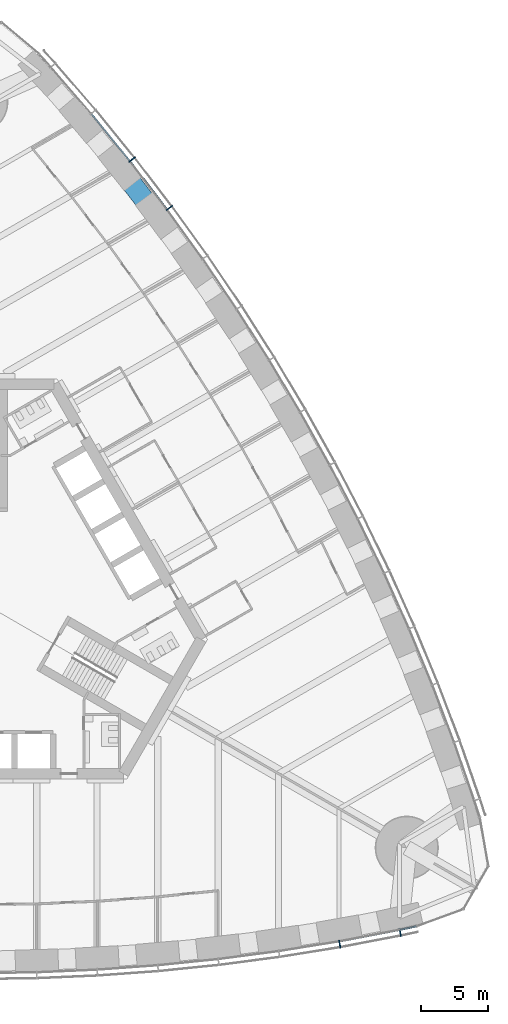
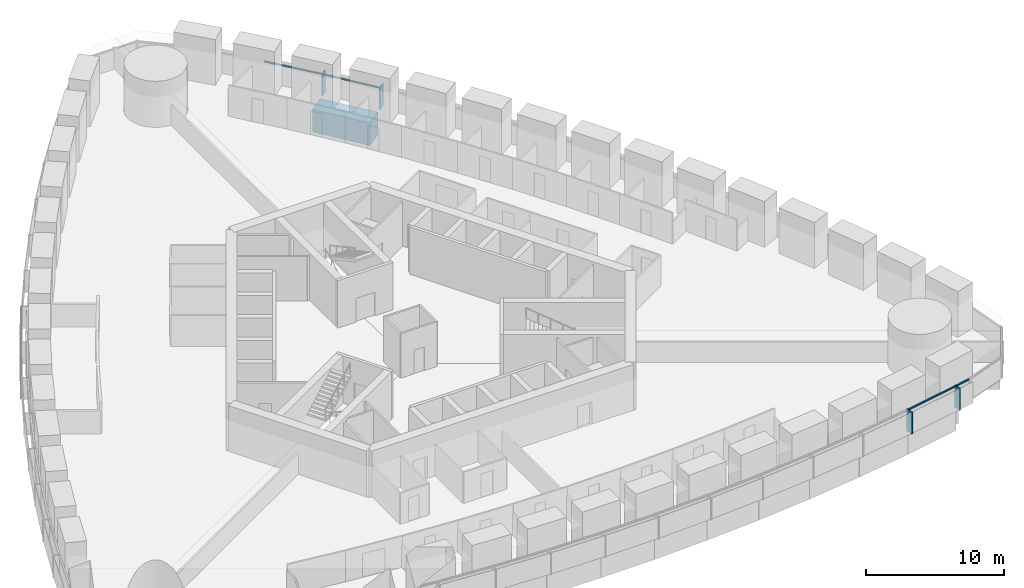
# One storey, part 5 of 18: 8 members, 1 beam, 2 elements without a shape of their own.
"""IFC4 building model written with IfcOpenShell, lengths in metres."""

import ifcopenshell
import ifcopenshell.guid

model = None  # the IFC model being written
_history = None  # IfcOwnerHistory: only IFC2X3 demands one
_inside = {}  # id of a spatial element -> (the spatial element, [elements in it])
_under = {}  # id of a project, library or spatial element -> (it, [spatial elements below it])
_declared = {}  # id of a project -> (the project, [libraries it declares])
_typed = {}  # id of a type object -> (the type object, [elements of that type])
_made_of = {}  # id of a material, layer set ... -> (it, [elements and type objects made of it])


def new_model(schema):
    """Start an empty IFC model of exactly this schema.

    Asked for "IFC4X3", IfcOpenShell would pick the latest addendum, in which some entities
    have other attributes; the version numbers below select the first issue.
    IFC2X3 requires an IfcOwnerHistory on every rooted entity: one is made here for all.
    """
    global model, _history
    if schema == "IFC4X3":
        model = ifcopenshell.file(schema_version=(4, 3, 0, 0))
    else:
        model = ifcopenshell.file(schema=schema)
    _inside.clear()
    _under.clear()
    _declared.clear()
    _typed.clear()
    _made_of.clear()
    _history = None
    if model.schema == "IFC2X3":
        org = make("IfcOrganization", Name="unknown")
        user = make(
            "IfcPersonAndOrganization",
            ThePerson=make("IfcPerson", FamilyName="unknown"),
            TheOrganization=org,
        )
        app = make(
            "IfcApplication",
            ApplicationDeveloper=org,
            Version="unknown",
            ApplicationFullName="unknown",
            ApplicationIdentifier="unknown",
        )
        _history = make(
            "IfcOwnerHistory",
            OwningUser=user,
            OwningApplication=app,
            ChangeAction="ADDED",
            CreationDate=0,
        )
    return model


def make(cls, **values):
    """One entity of the class cls with the attributes given. An attribute that is None is left unset."""
    return model.create_entity(
        cls, **{name: value for name, value in values.items() if value is not None}
    )


def rooted(cls, **values):
    """An entity with a GlobalId (a new one), such as an element, a storey or a relation."""
    return make(cls, GlobalId=ifcopenshell.guid.new(), OwnerHistory=_history, **values)


def si_unit(unit_type, name, prefix=None):
    """IfcSIUnit, for example si_unit("LENGTHUNIT", "METRE", prefix="MILLI")."""
    return make("IfcSIUnit", UnitType=unit_type, Prefix=prefix, Name=name)


def assignment(units):
    """IfcUnitAssignment: the units of a project."""
    return None if units is None else make("IfcUnitAssignment", Units=units)


def point(xyz):
    """IfcCartesianPoint."""
    return None if xyz is None else make("IfcCartesianPoint", Coordinates=xyz)


def direction(xyz):
    """IfcDirection."""
    return None if xyz is None else make("IfcDirection", DirectionRatios=xyz)


def frame(location, z_axis=None, x_axis=None):
    """IfcAxis2Placement3D, a coordinate frame: its origin and axes. An axis left out is left unset."""
    return make(
        "IfcAxis2Placement3D",
        Location=point(location),
        Axis=direction(z_axis),
        RefDirection=direction(x_axis),
    )


def frame_2d(location, x_axis=None):
    """IfcAxis2Placement2D, a coordinate frame in the plane: its origin and x axis."""
    return make(
        "IfcAxis2Placement2D", Location=point(location), RefDirection=direction(x_axis)
    )


def origin():
    """The frame at (0, 0, 0) with its axes left unset."""
    return frame((0.0, 0.0, 0.0))


def origin_2d():
    """The frame at (0, 0) in the plane with its x axis left unset."""
    return frame_2d((0.0, 0.0))


def place(relative_to, where):
    """IfcLocalPlacement: puts the frame where relative to a parent placement (None: the world)."""
    return make(
        "IfcLocalPlacement", PlacementRelTo=relative_to, RelativePlacement=where
    )


def context(
    kind, dimensions, precision=None, world=None, true_north=None, identifier=None
):
    """IfcGeometricRepresentationContext, for example the 3D "Model" context."""
    return make(
        "IfcGeometricRepresentationContext",
        ContextIdentifier=identifier,
        ContextType=kind,
        CoordinateSpaceDimension=dimensions,
        Precision=precision,
        WorldCoordinateSystem=world,
        TrueNorth=true_north,
    )


def subcontext(parent, identifier, kind, view, scale=None):
    """IfcGeometricRepresentationSubContext, for example "Body" below "Model"."""
    return make(
        "IfcGeometricRepresentationSubContext",
        ContextIdentifier=identifier,
        ContextType=kind,
        ParentContext=parent,
        TargetScale=scale,
        TargetView=view,
    )


def project(units=None, contexts=None):
    """IfcProject with its units and contexts."""
    return rooted(
        "IfcProject",
        Name="project",
        RepresentationContexts=contexts,
        UnitsInContext=assignment(units),
    )


def spatial(cls, under=None, at=None, **own):
    """A site, building, storey or space (cls), placed at a placement, below another one or the project."""
    s = rooted(cls, ObjectPlacement=at, **own)
    if under is not None:
        _under.setdefault(under.id(), (under, []))[1].append(s)
    return s


def profile(cls, at=None, kind="AREA", **sizes):
    """A parametric profile (cls). Its sizes go by their IFC names, for example OverallWidth=200.0."""
    return make(cls, ProfileType=kind, Position=at, **sizes)


def rectangle(**sizes):
    """IfcRectangleProfileDef."""
    return profile("IfcRectangleProfileDef", **sizes)


def extrude(swept, where, along, depth):
    """IfcExtrudedAreaSolid: the profile swept, set in the frame where, extruded along a direction by depth."""
    return make(
        "IfcExtrudedAreaSolid",
        SweptArea=swept,
        Position=where,
        ExtrudedDirection=direction(along),
        Depth=depth,
    )


def shape(context_of_items, identifier, shape_type, items):
    """IfcShapeRepresentation: the items that make up one representation, for example the "Body"."""
    return make(
        "IfcShapeRepresentation",
        ContextOfItems=context_of_items,
        RepresentationIdentifier=identifier,
        RepresentationType=shape_type,
        Items=items,
    )


def material(Name=None, Category=None):
    """IfcMaterial."""
    return make("IfcMaterial", Name=Name, Category=Category)


def material_profile(
    of_material, cross_section, Name=None, Category=None, Priority=None
):
    """IfcMaterialProfile: a cross section and its material."""
    return make(
        "IfcMaterialProfile",
        Name=Name,
        Material=of_material,
        Profile=cross_section,
        Priority=Priority,
        Category=Category,
    )


def profile_set(profiles, Name=None, composite=None):
    """IfcMaterialProfileSet."""
    return make(
        "IfcMaterialProfileSet",
        Name=Name,
        MaterialProfiles=profiles,
        CompositeProfile=composite,
    )


def made_of(thing, what):
    """Note that an element or type object is made of a material, layer set ...; save() writes the relation."""
    if what is not None:
        _made_of.setdefault(what.id(), (what, []))[1].append(thing)
    return thing


def type_object(cls, material=None, **own):
    """A type object (cls), such as IfcWallType, which elements share."""
    return made_of(rooted(cls, **own), material)


def element(
    cls,
    number,
    at=None,
    inside=None,
    cuts=None,
    type_object=None,
    material=None,
    context=None,
    identifier="Body",
    shape_type=None,
    held_by="IfcProductDefinitionShape",
    body=None,
    shapes=None,
    **own,
):
    """One element of the class cls, such as IfcWall. Its Tag is "e" and its number.

    at: its placement. inside: the storey or other place that contains it. cuts: it is an
    opening in that element (IfcRelVoidsElement). A single representation is given by context,
    identifier, shape_type and body (its items); several are given by shapes. held_by: the class
    of the entity that holds the representations. save() writes the other relations.
    """
    e = rooted(cls, Tag="e%d" % number, ObjectPlacement=at, **own)
    if body is not None:
        shapes = [shape(context, identifier, shape_type, body)]
    if shapes is not None:
        e.Representation = make(held_by, Representations=shapes)
    if inside is not None:
        _inside.setdefault(inside.id(), (inside, []))[1].append(e)
    if cuts is not None:
        rooted(
            "IfcRelVoidsElement", RelatingBuildingElement=cuts, RelatedOpeningElement=e
        )
    if type_object is not None:
        _typed.setdefault(type_object.id(), (type_object, []))[1].append(e)
    return made_of(e, material)


def aggregate(whole, parts):
    """IfcRelAggregates: a whole, such as a stair, and the parts it consists of."""
    return rooted("IfcRelAggregates", RelatingObject=whole, RelatedObjects=parts)


def save(model, path):
    """Write the relations noted so far, then the file.

    IfcRelAggregates (storeys below a building ...), IfcRelContainedInSpatialStructure (elements
    in a storey), IfcRelDefinesByType, IfcRelAssociatesMaterial and IfcRelDeclares: one each for
    every whole, place, type object, material and project.
    """
    for whole, parts in _under.values():
        aggregate(whole, parts)
    for where, things in _inside.values():
        rooted(
            "IfcRelContainedInSpatialStructure",
            RelatedElements=things,
            RelatingStructure=where,
        )
    for kind, things in _typed.values():
        rooted("IfcRelDefinesByType", RelatedObjects=things, RelatingType=kind)
    for what, things in _made_of.values():
        rooted("IfcRelAssociatesMaterial", RelatedObjects=things, RelatingMaterial=what)
    for by, libraries in _declared.values():
        rooted("IfcRelDeclares", RelatingContext=by, RelatedDefinitions=libraries)
    model.write(path)


model = new_model("IFC4")

# Units and contexts
model_context = context("Model", 3, precision=1e-05, world=origin(), true_north=direction((0.0, 1.0)))
body_context = subcontext(model_context, "Body", "Model", "MODEL_VIEW")
ifc_project = project(units=[si_unit("LENGTHUNIT", "METRE"), si_unit("AREAUNIT", "SQUARE_METRE"), si_unit("VOLUMEUNIT", "CUBIC_METRE"), si_unit("PLANEANGLEUNIT", "RADIAN"), si_unit("MASSUNIT", "GRAM", prefix="KILO")], contexts=[model_context])

# Site, building, storey
site_placement = place(None, origin())
site = spatial("IfcSite", under=ifc_project, at=site_placement, CompositionType="ELEMENT")
building_placement = place(site_placement, origin())
building = spatial("IfcBuilding", under=site, at=building_placement, Name="Trefoil Bronze Tower", CompositionType="ELEMENT")
storey_placement = place(building_placement, frame((0.0, 0.0, 87.89990234375)))
storey = spatial("IfcBuildingStorey", under=building, at=storey_placement, Name="L20", CompositionType="ELEMENT", Elevation=87.89990234375)

# Curtain wall, members
ifc_material_1 = material(Name="Tinted solar-control glass", Category="glass")
curtain_wall_type = type_object("IfcCurtainWallType", Name="Bronze office curtain wall", PredefinedType="USERDEFINED", material=ifc_material_1)
curtain_wall_1_placement = place(storey_placement, origin())
curtain_wall_1 = element("IfcCurtainWall", 1, at=curtain_wall_1_placement, inside=storey, type_object=curtain_wall_type, Name="CW-A L20 F1", ObjectType="CURTAIN WALL", PredefinedType="USERDEFINED")
ifc_material_2 = material(Name="Bronze-finish aluminium", Category="aluminium")
ifc_material_profile_1 = material_profile(ifc_material_2, rectangle(XDim=0.60009765625, YDim=0.080078125, at=origin_2d()), Name="CW-A mullion")
ifc_profile_set_1 = profile_set([ifc_material_profile_1], Name="Bronze-finish aluminium")
member_type_1 = type_object("IfcMemberType", Name="Bronze office curtain wall mullion", PredefinedType="MULLION", material=ifc_profile_set_1)
member_1_placement = place(storey_placement, frame((27.05224609375, -25.67578125, 0.0), z_axis=(0.0, 0.0, 1.0), x_axis=(-0.174131146426, 0.984722470468, 0.0)))
member_1 = element("IfcMember", 2, at=member_1_placement, type_object=member_type_1, Name="CW-A L20 F1 mullion 15", PredefinedType="MULLION", context=body_context, shape_type="SweptSolid", body=[
    extrude(rectangle(XDim=0.60009765625, YDim=0.080078125, at=origin_2d()), origin(), (0.0, 0.0, 1.0), 1.9501953125),
])
member_2_placement = place(storey_placement, frame((31.559326171875, -24.81005859375, 0.0), z_axis=(0.0, 0.0, 1.0), x_axis=(-0.197910006829, 0.98022019424, 0.0)))
member_2 = element("IfcMember", 3, at=member_2_placement, type_object=member_type_1, Name="CW-A L20 F1 mullion 16", PredefinedType="MULLION", context=body_context, shape_type="SweptSolid", body=[
    extrude(rectangle(XDim=0.60009765625, YDim=0.080078125, at=origin_2d()), origin(), (0.0, 0.0, 1.0), 1.9501953125),
])

curtain_wall_2_placement = place(storey_placement, origin())
curtain_wall_2 = element("IfcCurtainWall", 4, at=curtain_wall_2_placement, inside=storey, type_object=curtain_wall_type, Name="CW-A L20 F2", ObjectType="CURTAIN WALL", PredefinedType="USERDEFINED")
member_3_placement = place(storey_placement, frame((14.364013671875, 29.117919921875, 0.0), z_axis=(0.0, 0.0, 1.0), x_axis=(-0.802126748469, -0.59715381552, 0.0)))
member_3 = element("IfcMember", 5, at=member_3_placement, type_object=member_type_1, Name="CW-A L20 F2 mullion 13", PredefinedType="MULLION", context=body_context, shape_type="SweptSolid", body=[
    extrude(rectangle(XDim=0.60009765625, YDim=0.080078125, at=origin_2d()), origin(), (0.0, 0.0, 1.0), 1.9501953125),
])
member_4_placement = place(storey_placement, frame((11.595458984375, 32.7255859375, 0.0), z_axis=(0.0, 0.0, 1.0), x_axis=(-0.784304615744, -0.620375910011, 0.0)))
member_4 = element("IfcMember", 6, at=member_4_placement, type_object=member_type_1, Name="CW-A L20 F2 mullion 14", PredefinedType="MULLION", context=body_context, shape_type="SweptSolid", body=[
    extrude(rectangle(XDim=0.60009765625, YDim=0.080078125, at=origin_2d()), origin(), (0.0, 0.0, 1.0), 1.9501953125),
])

# Member
ifc_material_3 = material(Name="Bronze-finish aluminium", Category="aluminium")
ifc_material_profile_2 = material_profile(ifc_material_3, rectangle(XDim=0.1201171875, YDim=0.10009765625, at=origin_2d()), Name="CW-A transom")
ifc_profile_set_2 = profile_set([ifc_material_profile_2], Name="Bronze-finish aluminium")
member_type_2 = type_object("IfcMemberType", Name="Bronze office curtain wall transom", PredefinedType="USERDEFINED", material=ifc_profile_set_2)
member_5_placement = place(storey_placement, frame((27.05810546875, -25.470947265625, 1.900146484375), z_axis=(0.982053603997, 0.188602011855, 0.0), x_axis=(-0.188602011855, 0.982053603997, 0.0)))
member_5 = element("IfcMember", 7, at=member_5_placement, type_object=member_type_2, Name="CW-A L20 F1 transom 15", ObjectType="TRANSOM", PredefinedType="USERDEFINED", context=body_context, shape_type="SweptSolid", body=[
    extrude(rectangle(XDim=0.1201171875, YDim=0.10009765625, at=origin_2d()), origin(), (0.0, 0.0, 1.0), 4.502197265625),
])

member_6_placement = place(storey_placement, frame((31.559814453125, -24.605712890625, 1.900146484375), z_axis=(0.978266371807, 0.207352129942, 0.0), x_axis=(-0.207352129942, 0.978266371807, 0.0)))
member_6 = element("IfcMember", 8, at=member_6_placement, type_object=member_type_2, Name="CW-A L20 F1 transom 16", ObjectType="TRANSOM", PredefinedType="USERDEFINED", context=body_context, shape_type="SweptSolid", body=[
    extrude(rectangle(XDim=0.1201171875, YDim=0.10009765625, at=origin_2d()), origin(), (0.0, 0.0, 1.0), 1.21044921875),
])

aggregate(curtain_wall_1, [member_1, member_2, member_5, member_6])

member_7_placement = place(storey_placement, frame((14.178466796875, 29.031494140625, 1.900146484375), z_axis=(-0.608829203216, 0.793301330713, 0.0), x_axis=(-0.793301330713, -0.608829203216, 0.0)))
member_7 = element("IfcMember", 9, at=member_7_placement, type_object=member_type_2, Name="CW-A L20 F2 transom 13", ObjectType="TRANSOM", PredefinedType="USERDEFINED", context=body_context, shape_type="SweptSolid", body=[
    extrude(rectangle(XDim=0.1201171875, YDim=0.10009765625, at=origin_2d()), origin(), (0.0, 0.0, 1.0), 4.458740234375),
])

member_8_placement = place(storey_placement, frame((11.412353515625, 32.6337890625, 1.900146484375), z_axis=(-0.631835540201, 0.775102477185, 0.0), x_axis=(-0.775102477185, -0.631835540201, 0.0)))
member_8 = element("IfcMember", 10, at=member_8_placement, type_object=member_type_2, Name="CW-A L20 F2 transom 14", ObjectType="TRANSOM", PredefinedType="USERDEFINED", context=body_context, shape_type="SweptSolid", body=[
    extrude(rectangle(XDim=0.1201171875, YDim=0.10009765625, at=origin_2d()), origin(), (0.0, 0.0, 1.0), 4.478271484375),
])

aggregate(curtain_wall_2, [member_3, member_4, member_7, member_8])

# Beam
ifc_material_4 = material(Name="Concrete B80", Category="concrete")
ifc_material_profile_3 = material_profile(ifc_material_4, rectangle(XDim=1.5, YDim=2.0, at=origin_2d()), Name="RC 1500x2000")
ifc_profile_set_3 = profile_set([ifc_material_profile_3], Name="Concrete B80")
beam_type = type_object("IfcBeamType", Name="Spandrel beam RC 1500x2000", PredefinedType="SPANDREL", material=ifc_profile_set_3)
beam_placement = place(storey_placement, frame((13.42578125, 28.5361328125, -1.199951171875), z_axis=(-0.609338992146, 0.792909826305, 0.0), x_axis=(-0.792909826305, -0.609338992146, 0.0)))
element("IfcBeam", 11, at=beam_placement, inside=storey, type_object=beam_type, Name="Spandrel F2.13 L20", PredefinedType="SPANDREL", context=body_context, shape_type="SweptSolid", body=[
    extrude(rectangle(XDim=1.5, YDim=2.0, at=origin_2d()), origin(), (0.0, 0.0, 1.0), 4.5390625),
])

save(model, "model.ifc")
